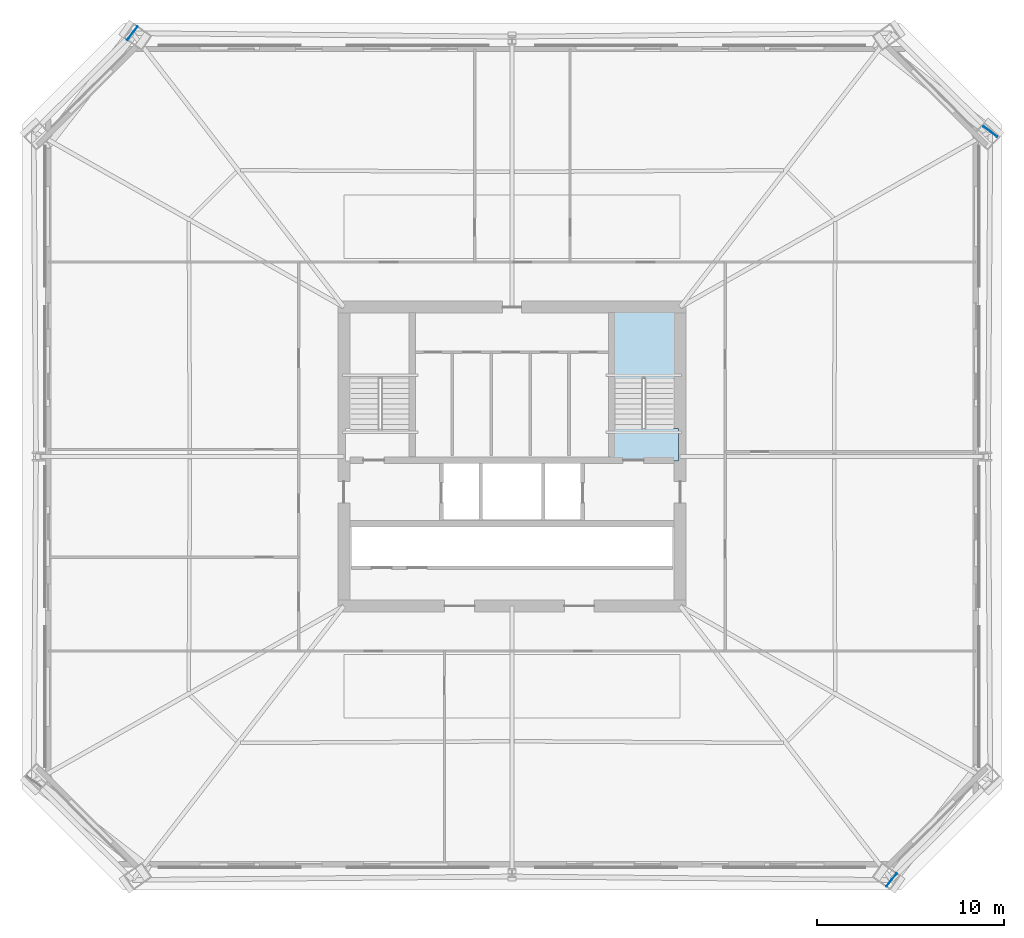
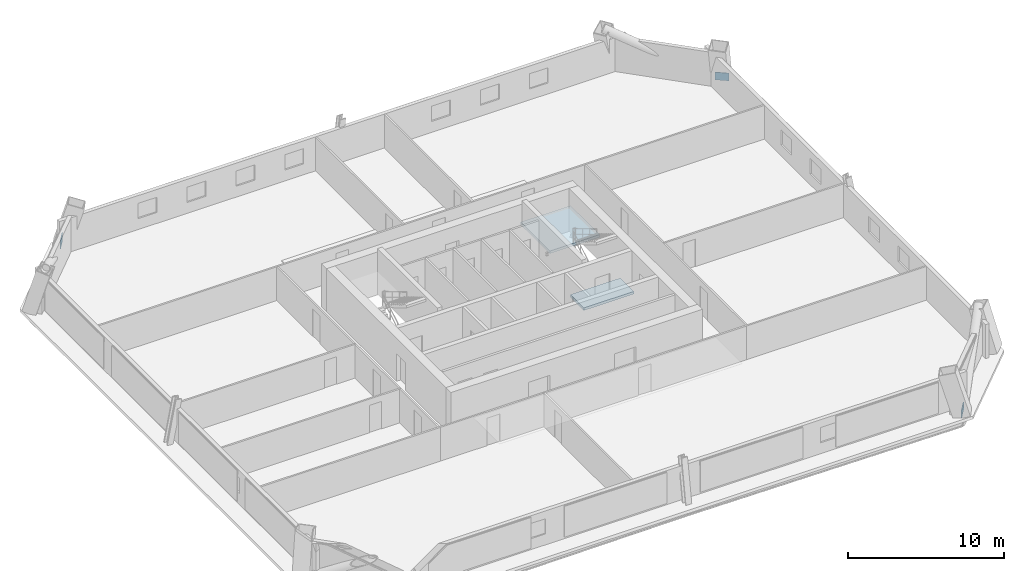
# One storey, part 4 of 10: 3 plates, 2 slabs, 1 element without a shape of its own.
"""IFC4 building model written with IfcOpenShell, lengths in metres."""

import ifcopenshell
import ifcopenshell.guid

model = None  # the IFC model being written
_history = None  # IfcOwnerHistory: only IFC2X3 demands one
_inside = {}  # id of a spatial element -> (the spatial element, [elements in it])
_under = {}  # id of a project, library or spatial element -> (it, [spatial elements below it])
_declared = {}  # id of a project -> (the project, [libraries it declares])
_typed = {}  # id of a type object -> (the type object, [elements of that type])
_made_of = {}  # id of a material, layer set ... -> (it, [elements and type objects made of it])


def new_model(schema):
    """Start an empty IFC model of exactly this schema.

    Asked for "IFC4X3", IfcOpenShell would pick the latest addendum, in which some entities
    have other attributes; the version numbers below select the first issue.
    IFC2X3 requires an IfcOwnerHistory on every rooted entity: one is made here for all.
    """
    global model, _history
    if schema == "IFC4X3":
        model = ifcopenshell.file(schema_version=(4, 3, 0, 0))
    else:
        model = ifcopenshell.file(schema=schema)
    _inside.clear()
    _under.clear()
    _declared.clear()
    _typed.clear()
    _made_of.clear()
    _history = None
    if model.schema == "IFC2X3":
        org = make("IfcOrganization", Name="unknown")
        user = make(
            "IfcPersonAndOrganization",
            ThePerson=make("IfcPerson", FamilyName="unknown"),
            TheOrganization=org,
        )
        app = make(
            "IfcApplication",
            ApplicationDeveloper=org,
            Version="unknown",
            ApplicationFullName="unknown",
            ApplicationIdentifier="unknown",
        )
        _history = make(
            "IfcOwnerHistory",
            OwningUser=user,
            OwningApplication=app,
            ChangeAction="ADDED",
            CreationDate=0,
        )
    return model


def make(cls, **values):
    """One entity of the class cls with the attributes given. An attribute that is None is left unset."""
    return model.create_entity(
        cls, **{name: value for name, value in values.items() if value is not None}
    )


def rooted(cls, **values):
    """An entity with a GlobalId (a new one), such as an element, a storey or a relation."""
    return make(cls, GlobalId=ifcopenshell.guid.new(), OwnerHistory=_history, **values)


def si_unit(unit_type, name, prefix=None):
    """IfcSIUnit, for example si_unit("LENGTHUNIT", "METRE", prefix="MILLI")."""
    return make("IfcSIUnit", UnitType=unit_type, Prefix=prefix, Name=name)


def assignment(units):
    """IfcUnitAssignment: the units of a project."""
    return None if units is None else make("IfcUnitAssignment", Units=units)


def point(xyz):
    """IfcCartesianPoint."""
    return None if xyz is None else make("IfcCartesianPoint", Coordinates=xyz)


def direction(xyz):
    """IfcDirection."""
    return None if xyz is None else make("IfcDirection", DirectionRatios=xyz)


def frame(location, z_axis=None, x_axis=None):
    """IfcAxis2Placement3D, a coordinate frame: its origin and axes. An axis left out is left unset."""
    return make(
        "IfcAxis2Placement3D",
        Location=point(location),
        Axis=direction(z_axis),
        RefDirection=direction(x_axis),
    )


def frame_2d(location, x_axis=None):
    """IfcAxis2Placement2D, a coordinate frame in the plane: its origin and x axis."""
    return make(
        "IfcAxis2Placement2D", Location=point(location), RefDirection=direction(x_axis)
    )


def origin():
    """The frame at (0, 0, 0) with its axes left unset."""
    return frame((0.0, 0.0, 0.0))


def origin_2d():
    """The frame at (0, 0) in the plane with its x axis left unset."""
    return frame_2d((0.0, 0.0))


def place(relative_to, where):
    """IfcLocalPlacement: puts the frame where relative to a parent placement (None: the world)."""
    return make(
        "IfcLocalPlacement", PlacementRelTo=relative_to, RelativePlacement=where
    )


def context(
    kind, dimensions, precision=None, world=None, true_north=None, identifier=None
):
    """IfcGeometricRepresentationContext, for example the 3D "Model" context."""
    return make(
        "IfcGeometricRepresentationContext",
        ContextIdentifier=identifier,
        ContextType=kind,
        CoordinateSpaceDimension=dimensions,
        Precision=precision,
        WorldCoordinateSystem=world,
        TrueNorth=true_north,
    )


def subcontext(parent, identifier, kind, view, scale=None):
    """IfcGeometricRepresentationSubContext, for example "Body" below "Model"."""
    return make(
        "IfcGeometricRepresentationSubContext",
        ContextIdentifier=identifier,
        ContextType=kind,
        ParentContext=parent,
        TargetScale=scale,
        TargetView=view,
    )


def project(units=None, contexts=None):
    """IfcProject with its units and contexts."""
    return rooted(
        "IfcProject",
        Name="project",
        RepresentationContexts=contexts,
        UnitsInContext=assignment(units),
    )


def spatial(cls, under=None, at=None, **own):
    """A site, building, storey or space (cls), placed at a placement, below another one or the project."""
    s = rooted(cls, ObjectPlacement=at, **own)
    if under is not None:
        _under.setdefault(under.id(), (under, []))[1].append(s)
    return s


def polyline(points):
    """IfcPolyline through the points."""
    return make("IfcPolyline", Points=[point(p) for p in points])


def profile(cls, at=None, kind="AREA", **sizes):
    """A parametric profile (cls). Its sizes go by their IFC names, for example OverallWidth=200.0."""
    return make(cls, ProfileType=kind, Position=at, **sizes)


def rectangle(**sizes):
    """IfcRectangleProfileDef."""
    return profile("IfcRectangleProfileDef", **sizes)


def outline(outer, holes=None, kind="AREA"):
    """IfcArbitraryClosedProfileDef: a profile drawn as a closed curve; with holes, ...WithVoids."""
    if holes is None:
        return make("IfcArbitraryClosedProfileDef", ProfileType=kind, OuterCurve=outer)
    return make(
        "IfcArbitraryProfileDefWithVoids",
        ProfileType=kind,
        OuterCurve=outer,
        InnerCurves=holes,
    )


def extrude(swept, where, along, depth):
    """IfcExtrudedAreaSolid: the profile swept, set in the frame where, extruded along a direction by depth."""
    return make(
        "IfcExtrudedAreaSolid",
        SweptArea=swept,
        Position=where,
        ExtrudedDirection=direction(along),
        Depth=depth,
    )


def shape(context_of_items, identifier, shape_type, items):
    """IfcShapeRepresentation: the items that make up one representation, for example the "Body"."""
    return make(
        "IfcShapeRepresentation",
        ContextOfItems=context_of_items,
        RepresentationIdentifier=identifier,
        RepresentationType=shape_type,
        Items=items,
    )


def material(Name=None, Category=None):
    """IfcMaterial."""
    return make("IfcMaterial", Name=Name, Category=Category)


def layer(
    of_material, thickness, ventilated=None, Name=None, Category=None, Priority=None
):
    """IfcMaterialLayer: one layer of a wall or slab, of a material (None: an air gap)."""
    return make(
        "IfcMaterialLayer",
        Material=of_material,
        LayerThickness=thickness,
        IsVentilated=ventilated,
        Name=Name,
        Category=Category,
        Priority=Priority,
    )


def layer_set(layers, Name=None):
    """IfcMaterialLayerSet."""
    return make("IfcMaterialLayerSet", MaterialLayers=layers, LayerSetName=Name)


def made_of(thing, what):
    """Note that an element or type object is made of a material, layer set ...; save() writes the relation."""
    if what is not None:
        _made_of.setdefault(what.id(), (what, []))[1].append(thing)
    return thing


def type_object(cls, material=None, **own):
    """A type object (cls), such as IfcWallType, which elements share."""
    return made_of(rooted(cls, **own), material)


def element(
    cls,
    number,
    at=None,
    inside=None,
    cuts=None,
    type_object=None,
    material=None,
    context=None,
    identifier="Body",
    shape_type=None,
    held_by="IfcProductDefinitionShape",
    body=None,
    shapes=None,
    **own,
):
    """One element of the class cls, such as IfcWall. Its Tag is "e" and its number.

    at: its placement. inside: the storey or other place that contains it. cuts: it is an
    opening in that element (IfcRelVoidsElement). A single representation is given by context,
    identifier, shape_type and body (its items); several are given by shapes. held_by: the class
    of the entity that holds the representations. save() writes the other relations.
    """
    e = rooted(cls, Tag="e%d" % number, ObjectPlacement=at, **own)
    if body is not None:
        shapes = [shape(context, identifier, shape_type, body)]
    if shapes is not None:
        e.Representation = make(held_by, Representations=shapes)
    if inside is not None:
        _inside.setdefault(inside.id(), (inside, []))[1].append(e)
    if cuts is not None:
        rooted(
            "IfcRelVoidsElement", RelatingBuildingElement=cuts, RelatedOpeningElement=e
        )
    if type_object is not None:
        _typed.setdefault(type_object.id(), (type_object, []))[1].append(e)
    return made_of(e, material)


def aggregate(whole, parts):
    """IfcRelAggregates: a whole, such as a stair, and the parts it consists of."""
    return rooted("IfcRelAggregates", RelatingObject=whole, RelatedObjects=parts)


def save(model, path):
    """Write the relations noted so far, then the file.

    IfcRelAggregates (storeys below a building ...), IfcRelContainedInSpatialStructure (elements
    in a storey), IfcRelDefinesByType, IfcRelAssociatesMaterial and IfcRelDeclares: one each for
    every whole, place, type object, material and project.
    """
    for whole, parts in _under.values():
        aggregate(whole, parts)
    for where, things in _inside.values():
        rooted(
            "IfcRelContainedInSpatialStructure",
            RelatedElements=things,
            RelatingStructure=where,
        )
    for kind, things in _typed.values():
        rooted("IfcRelDefinesByType", RelatedObjects=things, RelatingType=kind)
    for what, things in _made_of.values():
        rooted("IfcRelAssociatesMaterial", RelatedObjects=things, RelatingMaterial=what)
    for by, libraries in _declared.values():
        rooted("IfcRelDeclares", RelatingContext=by, RelatedDefinitions=libraries)
    model.write(path)


model = new_model("IFC4")

# Units and contexts
model_context = context("Model", 3, precision=1e-05, world=origin(), true_north=direction((0.0, 1.0)))
body_context = subcontext(model_context, "Body", "Model", "MODEL_VIEW")
ifc_project = project(units=[si_unit("LENGTHUNIT", "METRE"), si_unit("AREAUNIT", "SQUARE_METRE"), si_unit("VOLUMEUNIT", "CUBIC_METRE"), si_unit("PLANEANGLEUNIT", "RADIAN"), si_unit("MASSUNIT", "GRAM", prefix="KILO")], contexts=[model_context])

# Site, building, storey
site_placement = place(None, origin())
site = spatial("IfcSite", under=ifc_project, at=site_placement, CompositionType="ELEMENT")
building_placement = place(site_placement, origin())
building = spatial("IfcBuilding", under=site, at=building_placement, Name="Caelvoria Tower", CompositionType="ELEMENT")
storey_placement = place(building_placement, frame((0.0, 0.0, 78.39990234375)))
storey = spatial("IfcBuildingStorey", under=building, at=storey_placement, Name="L20", CompositionType="ELEMENT", Elevation=78.39990234375)

# Plates
ifc_material_1 = material(Name="Structural Steel ASTM A572 Gr.50", Category="steel")
ifc_layer_1 = layer(ifc_material_1, 0.0400390625, Name="Structural Steel ASTM A572 Gr.50")
ifc_layer_set_1 = layer_set([ifc_layer_1], Name="Megaframe Node Gusset Plate 900x600x40 - Structural Steel ASTM A572 Gr.50")
plate_type = type_object("IfcPlateType", Name="Megaframe Node Gusset Plate 900x600x40", PredefinedType="USERDEFINED", material=ifc_layer_set_1)
for number, where, z_axis, x_axis, name in (
    (1, (66.3193359375, 9.336181640625, 0.02001953125), (0.0, 0.0, 1.0), (0.613381346902, 0.789786884718, 0.0), "Chamfer Mega Brace Gusset L20 SE"),
    (2, (71.6044921875, 49.3955078125, 0.02001953125), (0.0, 0.0, 1.0), (-0.790281223122, 0.612744309138, 0.0), "Chamfer Mega Brace Gusset L20 NE"),
    (3, (25.6806640625, 54.663818359375, 0.02001953125), (0.0, 0.0, 1.0), (-0.613381346902, -0.789786884718, 0.0), "Chamfer Mega Brace Gusset L20 NW"),
):
    element("IfcPlate", number, at=place(storey_placement, frame(where, z_axis=z_axis, x_axis=x_axis)), inside=storey, type_object=plate_type, Name=name, ObjectType="GUSSET_PLATE", PredefinedType="USERDEFINED", context=body_context, shape_type="SweptSolid", body=[
        extrude(rectangle(XDim=0.89990234375, YDim=0.0400390625, at=origin_2d()), origin(), (0.0, 0.0, 1.0), 0.60009765625),
    ])

# Stair, slabs
ifc_material_2 = material(Name="Concrete C40/50", Category="concrete")
stair_type = type_object("IfcStairType", Name="Core Smokeproof Dogleg Stair Concrete C40/50", PredefinedType="HALF_TURN_STAIR", material=ifc_material_2)
stair_placement = place(storey_placement, origin())
stair = element("IfcStair", 4, at=stair_placement, inside=storey, type_object=stair_type, Name="ST-02 Smokeproof Exit Stair L20", PredefinedType="HALF_TURN_STAIR")
ifc_layer_2 = layer(ifc_material_2, 0.199951171875, Name="Concrete C40/50")
ifc_layer_set_2 = layer_set([ifc_layer_2], Name="Stair Half and Floor Landing Slab 200 Concrete C40/50 - Concrete C40/50")
slab_type = type_object("IfcSlabType", Name="Stair Half and Floor Landing Slab 200 Concrete C40/50", PredefinedType="LANDING", material=ifc_layer_set_2)
slab_1_placement = place(storey_placement, frame((0.0, 0.0, -0.199951171875)))
slab_1 = element("IfcSlab", 5, at=slab_1_placement, type_object=slab_type, Name="ST-02 landing 1", PredefinedType="LANDING", context=body_context, shape_type="SweptSolid", body=[
    extrude(outline(polyline([(51.199951171875, 31.77001953125), (54.89990234375, 31.77001953125), (54.89990234375, 33.5), (51.199951171875, 33.5), (51.199951171875, 31.77001953125)])), origin(), (0.0, 0.0, 1.0), 0.199951171875),
])
slab_2_placement = place(storey_placement, frame((0.0, 0.0, 1.60009765625)))
slab_2 = element("IfcSlab", 6, at=slab_2_placement, type_object=slab_type, Name="ST-02 landing 2", PredefinedType="LANDING", context=body_context, shape_type="SweptSolid", body=[
    extrude(outline(polyline([(51.199951171875, 36.14990234375), (54.89990234375, 36.14990234375), (54.89990234375, 39.89990234375), (51.199951171875, 39.89990234375), (51.199951171875, 36.14990234375)])), origin(), (0.0, 0.0, 1.0), 0.199951171875),
])
aggregate(stair, [slab_1, slab_2])

save(model, "model.ifc")
